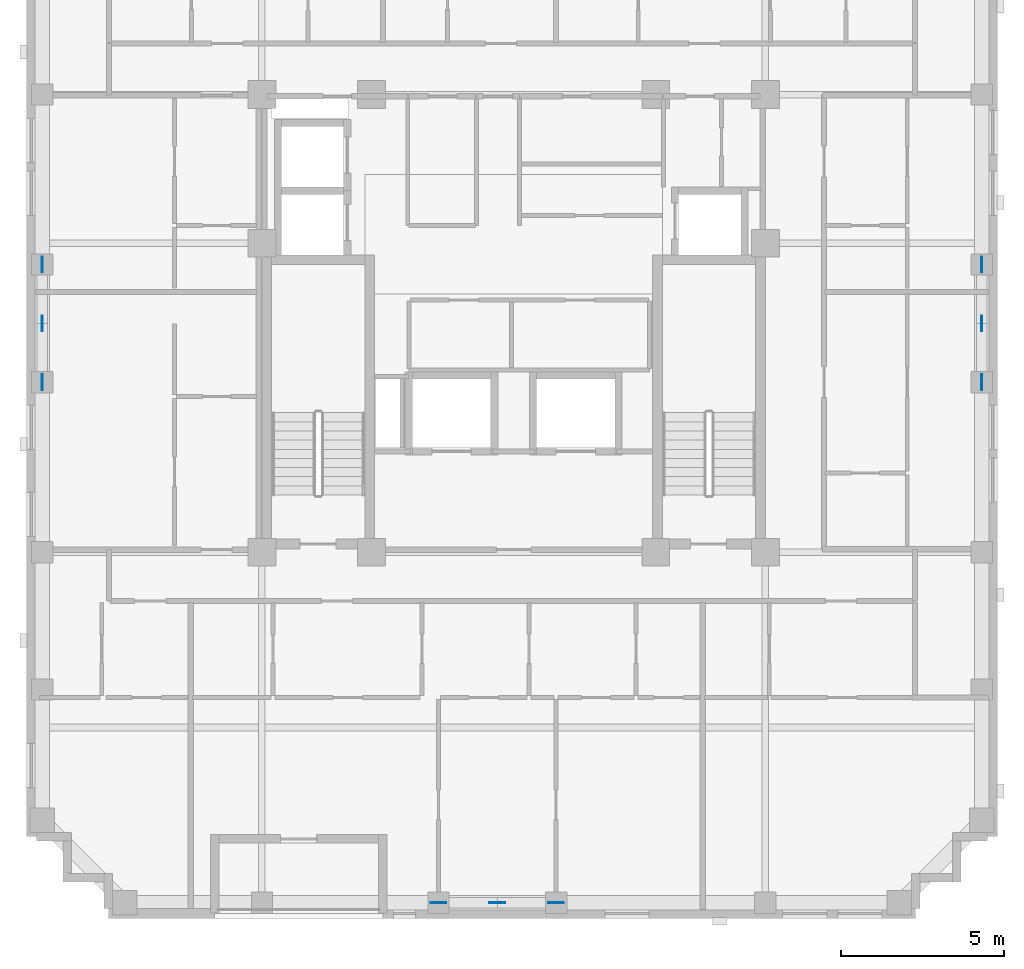
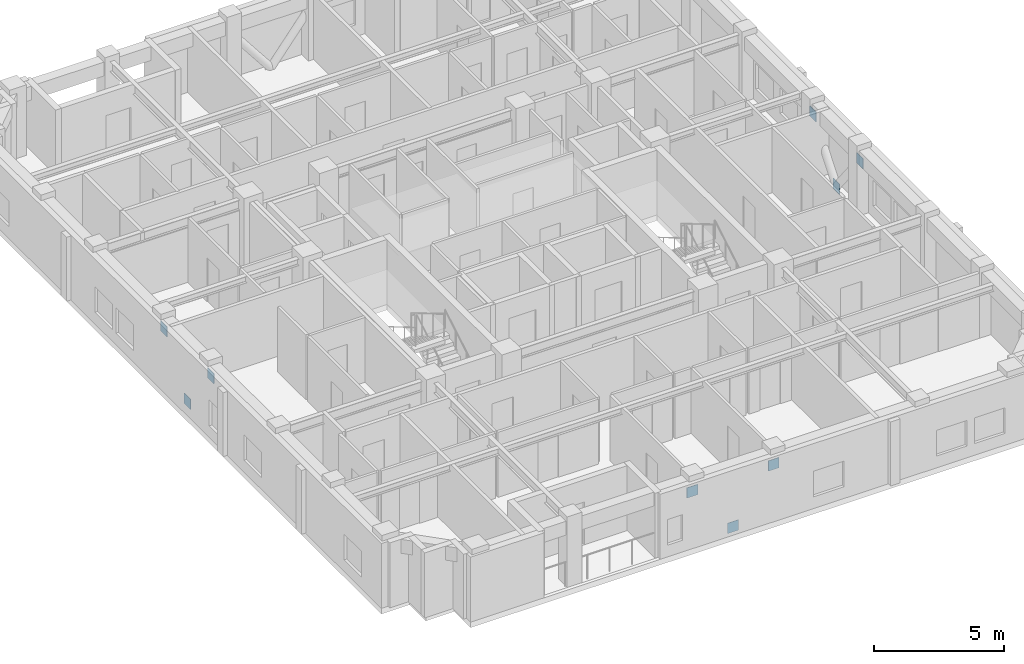
# One storey, part 8 of 11: 9 discrete accessories.
"""IFC4 building model written with IfcOpenShell, lengths in metres."""

from ifc_helpers import new_model, si_unit, derived_unit, direction, frame, origin, origin_2d, place, context, subcontext, project, spatial, rectangle, extrude, material, layer, layer_set, type_object, element, save


model = new_model("IFC4")

# Units and contexts
model_context = context("Model", 3, precision=1e-05, world=origin(), true_north=direction((0.0, 1.0)))
body_context = subcontext(model_context, "Body", "Model", "MODEL_VIEW")
ifc_project = project(units=[si_unit("LENGTHUNIT", "METRE"), si_unit("AREAUNIT", "SQUARE_METRE"), si_unit("VOLUMEUNIT", "CUBIC_METRE"), si_unit("PLANEANGLEUNIT", "RADIAN"), si_unit("MASSUNIT", "GRAM", prefix="KILO"), derived_unit("THERMALTRANSMITTANCEUNIT", [(si_unit("MASSUNIT", "GRAM", prefix="KILO"), 1), (si_unit("TIMEUNIT", "SECOND"), -3), (si_unit("THERMODYNAMICTEMPERATUREUNIT", "KELVIN"), -1)])], contexts=[model_context])

# Site, building, storey
site_placement = place(None, origin())
site = spatial("IfcSite", under=ifc_project, at=site_placement, CompositionType="ELEMENT")
building_placement = place(site_placement, origin())
building = spatial("IfcBuilding", under=site, at=building_placement, Name="Korrvale Station Residences", CompositionType="ELEMENT")
storey_placement = place(building_placement, frame((0.0, 0.0, 190.89990234375)))
storey = spatial("IfcBuildingStorey", under=building, at=storey_placement, Name="L55", CompositionType="ELEMENT", Elevation=190.89990234375)

# Discrete accessories
ifc_material = material(Name="Steel S355", Category="steel")
ifc_layer = layer(ifc_material, 0.02490234375, Name="Steel S355")
ifc_layer_set = layer_set([ifc_layer], Name="Steel S355")
discrete_accessory_type = type_object("IfcDiscreteAccessoryType", Name="ACC-GUSSET-25", PredefinedType="BRACKET", material=ifc_layer_set)
for number, where, z_axis, x_axis, name in (
    (1, (25.0, 4.280029296875, -0.219970703125), (0.0, 0.0, 1.0), (1.0, 0.0, 0.0), "L55 S Brace End Gusset Connection M"),
    (2, (23.199951171875, 4.280029296875, 2.070068359375), (0.0, 0.0, 1.0), (1.0, 0.0, 0.0), "L55 S Brace End Gusset Connection A"),
    (3, (26.800048828125, 4.280029296875, 2.070068359375), (0.0, 0.0, 1.0), (1.0, 0.0, 0.0), "L55 S Brace End Gusset Connection B"),
    (4, (11.080078125, 22.0, -0.219970703125), (0.0, 0.0, 1.0), (0.0, 1.0, 0.0), "L55 W Brace End Gusset Connection M"),
    (5, (11.080078125, 20.199951171875, 2.070068359375), (0.0, 0.0, 1.0), (0.0, 1.0, 0.0), "L55 W Brace End Gusset Connection A"),
    (6, (11.080078125, 23.800048828125, 2.070068359375), (0.0, 0.0, 1.0), (0.0, 1.0, 0.0), "L55 W Brace End Gusset Connection B"),
    (7, (39.820068359375, 22.0, -0.219970703125), (0.0, 0.0, 1.0), (0.0, 1.0, 0.0), "L55 E Brace End Gusset Connection M"),
    (8, (39.820068359375, 20.199951171875, 2.070068359375), (0.0, 0.0, 1.0), (0.0, 1.0, 0.0), "L55 E Brace End Gusset Connection A"),
    (9, (39.820068359375, 23.800048828125, 2.070068359375), (0.0, 0.0, 1.0), (0.0, 1.0, 0.0), "L55 E Brace End Gusset Connection B"),
):
    element("IfcDiscreteAccessory", number, at=place(storey_placement, frame(where, z_axis=z_axis, x_axis=x_axis)), inside=storey, type_object=discrete_accessory_type, Name=name, PredefinedType="BRACKET", context=body_context, shape_type="SweptSolid", body=[
        extrude(rectangle(XDim=0.47998046875, YDim=0.02490234375, at=origin_2d()), origin(), (0.0, 0.0, 1.0), 0.47998046875),
    ])

save(model, "model.ifc")
